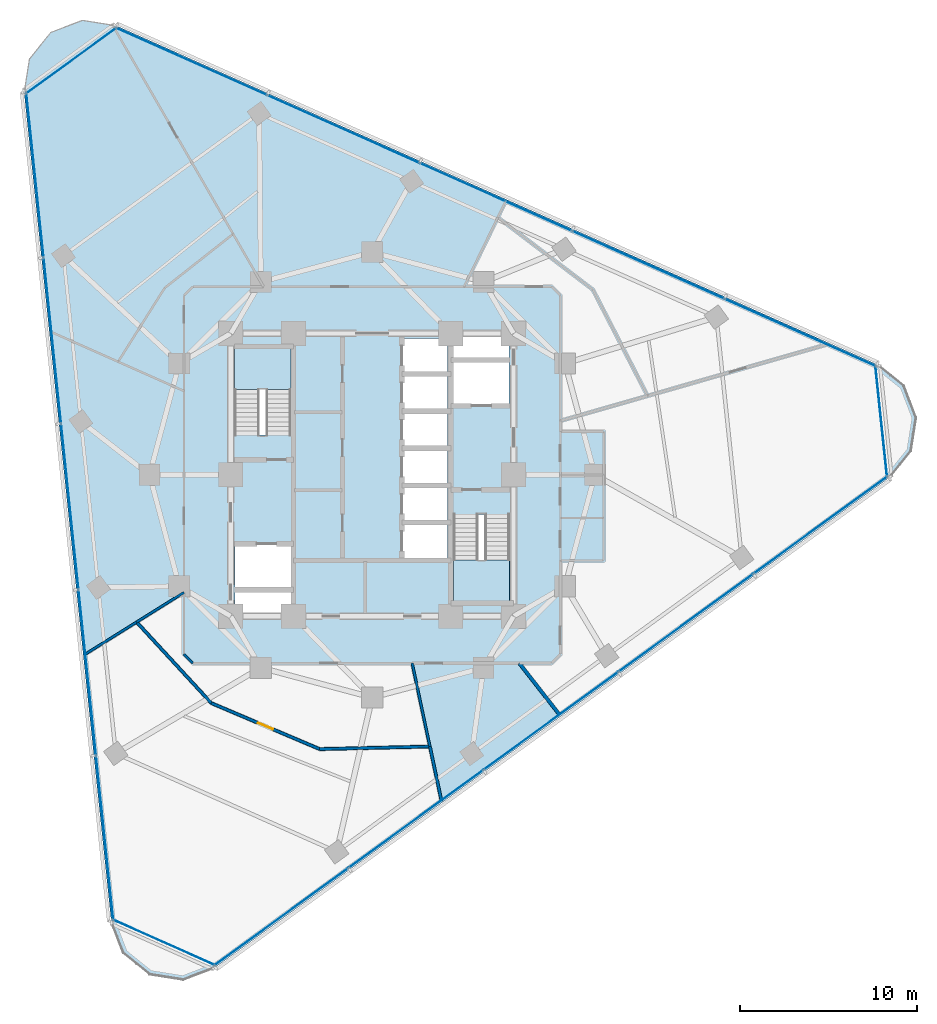
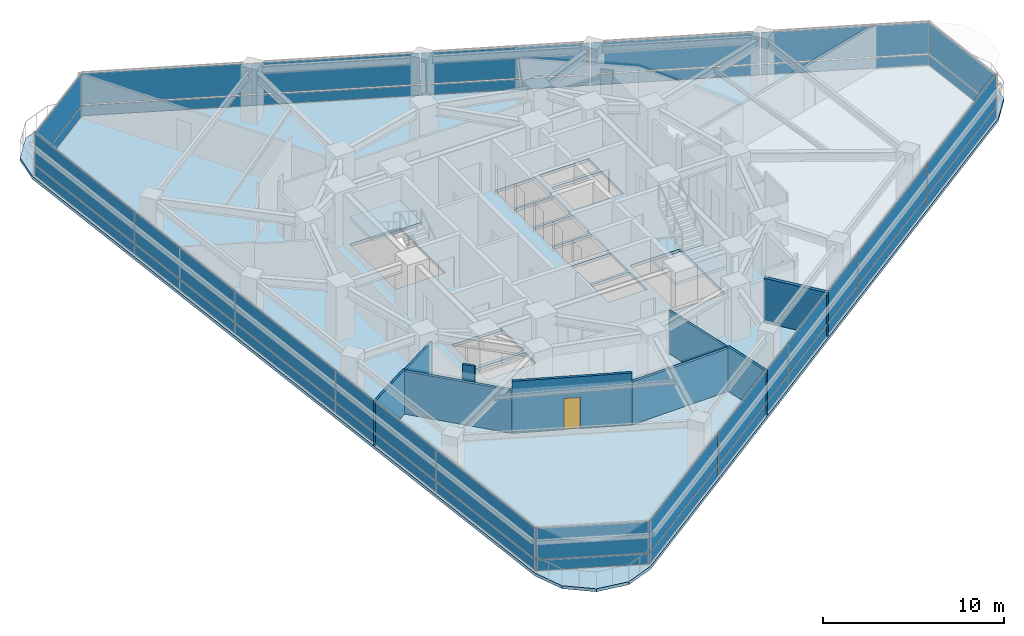
# One storey, part 7 of 14: 36 plates, 9 walls, 3 slabs, 1 door, 1 opening, 8 elements without a shape of their own.
"""IFC4 building model written with IfcOpenShell, lengths in metres."""

from ifc_helpers import new_model, si_unit, direction, frame, frame_2d, origin, origin_2d, place, context, subcontext, project, spatial, polyline, rectangle, outline, extrude, material, layer, layer_set, type_object, element, fill, aggregate, save


model = new_model("IFC4")

# Units and contexts
model_context = context("Model", 3, precision=1e-05, world=origin(), true_north=direction((0.0, 1.0)))
body_context = subcontext(model_context, "Body", "Model", "MODEL_VIEW")
ifc_project = project(units=[si_unit("LENGTHUNIT", "METRE"), si_unit("AREAUNIT", "SQUARE_METRE"), si_unit("VOLUMEUNIT", "CUBIC_METRE"), si_unit("PLANEANGLEUNIT", "RADIAN"), si_unit("MASSUNIT", "GRAM", prefix="KILO")], contexts=[model_context])

# Site, building, storey
site_placement = place(None, origin())
site = spatial("IfcSite", under=ifc_project, at=site_placement, CompositionType="ELEMENT")
building_placement = place(site_placement, origin())
building = spatial("IfcBuilding", under=site, at=building_placement, Name="Terralouvre Media Tower", CompositionType="ELEMENT")
storey_placement = place(building_placement, frame((0.0, 0.0, 162.0)))
storey = spatial("IfcBuildingStorey", under=building, at=storey_placement, Name="L41", CompositionType="ELEMENT", Elevation=162.0)

# Slab
ifc_material_1 = material(Name="Concrete C40/50", Category="concrete")
ifc_layer_1 = layer(ifc_material_1, 0.199951171875, Name="Composite Tower Floor Slab S-TYP200")
ifc_layer_set_1 = layer_set([ifc_layer_1], Name="Concrete C40/50")
slab_type_1 = type_object("IfcSlabType", Name="Composite Tower Floor Slab S-TYP200", PredefinedType="FLOOR", material=ifc_layer_set_1)
slab_1_placement = place(storey_placement, frame((0.0, 0.0, -0.199951171875), z_axis=(0.0, 0.0, 1.0), x_axis=(0.809016994375, 0.587785252292, 0.0)))
element("IfcSlab", 1, at=slab_1_placement, inside=storey, type_object=slab_type_1, Name="L41 Structural Floor Slab", PredefinedType="FLOOR", context=body_context, shape_type="SweptSolid", body=[
    extrude(outline(polyline([(-26.80419921875, -11.775390625), (-27.300048828125, -13.62548828125), (-26.80419921875, -15.475341796875), (-25.449951171875, -16.829833984375), (-23.60009765625, -17.325439453125), (23.60009765625, -17.325439453125), (25.449951171875, -16.829833984375), (26.80419921875, -15.4755859375), (27.300048828125, -13.62548828125), (26.80419921875, -11.775390625), (3.204345703125, 29.100830078125), (1.85009765625, 30.455322265625), (0.0, 30.950927734375), (-1.85009765625, 30.455322265625), (-3.204345703125, 29.100830078125), (-26.80419921875, -11.775390625)]), holes=[polyline([(-7.600830078125, -2.6357421875), (-8.30615234375, -3.6064453125), (-10.8544921875, -1.7548828125), (-10.149169921875, -0.7841796875), (-7.600830078125, -2.6357421875)]), polyline([(-7.4833984375, -2.473876953125), (-10.03173828125, -0.622314453125), (-8.591552734375, 1.359619140625), (-6.043212890625, -0.49169921875), (-7.4833984375, -2.473876953125)]), polyline([(4.366943359375, -1.2197265625), (2.344482421875, 0.24951171875), (3.48486328125, 1.819091796875), (5.50732421875, 0.349609375), (4.366943359375, -1.2197265625)]), polyline([(6.74169921875, 2.048583984375), (5.601318359375, 0.47900390625), (3.578857421875, 1.948486328125), (4.71923828125, 3.51806640625), (6.74169921875, 2.048583984375)]), polyline([(-2.40185546875, 4.52001953125), (-4.974609375, 6.38916015625), (-2.02685546875, 10.446533203125), (0.5458984375, 8.577392578125), (-2.40185546875, 4.52001953125)]), polyline([(6.835693359375, 2.177978515625), (4.813232421875, 3.6474609375), (5.953369140625, 5.217041015625), (7.97607421875, 3.74755859375), (6.835693359375, 2.177978515625)]), polyline([(-0.5458984375, -8.577392578125), (2.40185546875, -4.52001953125), (4.974609375, -6.38916015625), (2.02685546875, -10.446533203125), (-0.5458984375, -8.577392578125)]), polyline([(0.6640625, -6.316650390625), (-1.358642578125, -4.84716796875), (-0.21826171875, -3.277587890625), (1.80419921875, -4.7470703125), (0.6640625, -6.316650390625)]), polyline([(1.8984375, -4.61767578125), (-0.124267578125, -3.148193359375), (1.01611328125, -1.578857421875), (3.03857421875, -3.04833984375), (1.8984375, -4.61767578125)]), polyline([(4.27294921875, -1.349365234375), (3.132568359375, -2.918701171875), (1.110107421875, -1.44921875), (2.25048828125, 0.1201171875), (4.27294921875, -1.349365234375)]), polyline([(8.591552734375, -1.359619140625), (6.043212890625, 0.49169921875), (7.4833984375, 2.473876953125), (10.03173828125, 0.622314453125), (8.591552734375, -1.359619140625)]), polyline([(10.149169921875, 0.7841796875), (7.600830078125, 2.6357421875), (8.30615234375, 3.6064453125), (10.8544921875, 1.7548828125), (10.149169921875, 0.7841796875)])]), origin(), (0.0, 0.0, 1.0), 0.199951171875),
])

# Stair, slab
ifc_material_2 = material(Name="Concrete C45/55", Category="concrete")
stair_type_1 = type_object("IfcStairType", Name="Dogleg Stair Assembly ST-01", PredefinedType="HALF_TURN_STAIR", material=ifc_material_2)
stair_1_placement = place(storey_placement, origin())
stair_1 = element("IfcStair", 2, at=stair_1_placement, inside=storey, type_object=stair_type_1, Name="L41 Core Pressurised Exit Stair ST-01", PredefinedType="HALF_TURN_STAIR")
ifc_material_3 = material(Name="Concrete C45/55", Category="concrete")
ifc_layer_2 = layer(ifc_material_3, 0.199951171875, Name="Reinforced Concrete Stair Half-Landing SL-LD1")
ifc_layer_set_2 = layer_set([ifc_layer_2], Name="Concrete C45/55")
slab_type_2 = type_object("IfcSlabType", Name="Reinforced Concrete Stair Half-Landing SL-LD1", PredefinedType="LANDING", material=ifc_layer_set_2)
slab_2_placement = place(storey_placement, frame((0.0, 0.0, 1.64990234375)))
slab_2 = element("IfcSlab", 3, at=slab_2_placement, type_object=slab_type_2, Name="ST-01 landing 1", PredefinedType="LANDING", context=body_context, shape_type="SweptSolid", body=[
    extrude(outline(polyline([(-4.60009765625, 4.820068359375), (-4.60009765625, 7.260009765625), (-7.780029296875, 7.260009765625), (-7.780029296875, 4.820068359375), (-4.60009765625, 4.820068359375)])), origin(), (0.0, 0.0, 1.0), 0.2001953125),
])
aggregate(stair_1, [slab_2])

ifc_material_4 = material(Name="Concrete C45/55", Category="concrete")
stair_type_2 = type_object("IfcStairType", Name="Dogleg Stair Assembly ST-02", PredefinedType="HALF_TURN_STAIR", material=ifc_material_4)
stair_2_placement = place(storey_placement, origin())
stair_2 = element("IfcStair", 4, at=stair_2_placement, inside=storey, type_object=stair_type_2, Name="L41 Core Pressurised Exit Stair ST-02", PredefinedType="HALF_TURN_STAIR")
slab_3_placement = place(storey_placement, frame((0.0, 0.0, 1.64990234375)))
slab_3 = element("IfcSlab", 5, at=slab_3_placement, type_object=slab_type_2, Name="ST-02 landing 1", PredefinedType="LANDING", context=body_context, shape_type="SweptSolid", body=[
    extrude(outline(polyline([(4.60009765625, -4.820068359375), (4.60009765625, -7.260009765625), (7.780029296875, -7.260009765625), (7.780029296875, -4.820068359375), (4.60009765625, -4.820068359375)])), origin(), (0.0, 0.0, 1.0), 0.2001953125),
])
aggregate(stair_2, [slab_3])

# Curtain wall, plates
ifc_material_5 = material(Name="Low-iron laminated double glazing with solar-control coating", Category="glass")
ifc_layer_3 = layer(ifc_material_5, 0.1650390625, Name="Rounded Wind-Corner Curved Glazing CW-04")
ifc_layer_set_3 = layer_set([ifc_layer_3], Name="Low-iron laminated double glazing with solar-control coating")
curtain_wall_type_1 = type_object("IfcCurtainWallType", Name="Rounded Wind-Corner Curved Glazing CW-04", PredefinedType="NOTDEFINED", material=ifc_layer_set_3)
curtain_wall_1_placement = place(storey_placement, origin())
curtain_wall_1 = element("IfcCurtainWall", 6, at=curtain_wall_1_placement, inside=storey, type_object=curtain_wall_type_1, Name="L41 Rounded Wind-Corner Curtain Wall C0", PredefinedType="NOTDEFINED")
ifc_material_6 = material(Name="Low-iron laminated double glazing with solar-control coating", Category="glass")
ifc_layer_4 = layer(ifc_material_6, 0.0400390625, Name="Rounded Corner Laminated Vision Panel CWP-03")
ifc_layer_set_4 = layer_set([ifc_layer_4], Name="Low-iron laminated double glazing with solar-control coating")
plate_type_1 = type_object("IfcPlateType", Name="Rounded Corner Laminated Vision Panel CWP-03", PredefinedType="CURTAIN_PANEL", material=ifc_layer_set_4)
plate_1_placement = place(storey_placement, frame((-11.779541015625, -26.45703125, 0.074951171875), z_axis=(0.0, 0.0, 1.0), x_axis=(0.913545408199, -0.406736754128, 0.0)))
plate_1 = element("IfcPlate", 7, at=plate_1_placement, type_object=plate_type_1, Name="CW-04 panel 1.1", PredefinedType="CURTAIN_PANEL", context=body_context, shape_type="SweptSolid", body=[
    extrude(rectangle(XDim=6.258544921875, YDim=0.035888671875, at=origin_2d()), origin(), (0.0, 0.0, 1.0), 0.6875),
])
plate_2_placement = place(storey_placement, frame((-11.779541015625, -26.45703125, 0.837646484375), z_axis=(0.0, 0.0, 1.0), x_axis=(0.913545408199, -0.406736754128, 0.0)))
plate_2 = element("IfcPlate", 8, at=plate_2_placement, type_object=plate_type_1, Name="CW-04 panel 1.2", PredefinedType="CURTAIN_PANEL", context=body_context, shape_type="SweptSolid", body=[
    extrude(rectangle(XDim=6.258544921875, YDim=0.035888671875, at=origin_2d()), origin(), (0.0, 0.0, 1.0), 2.08740234375),
])
aggregate(curtain_wall_1, [plate_1, plate_2])

curtain_wall_2_placement = place(storey_placement, origin())
curtain_wall_2 = element("IfcCurtainWall", 9, at=curtain_wall_2_placement, inside=storey, type_object=curtain_wall_type_1, Name="L41 Rounded Wind-Corner Curtain Wall C1", PredefinedType="NOTDEFINED")
plate_3_placement = place(storey_placement, frame((28.80224609375, 3.02734375, 0.074951171875), z_axis=(0.0, 0.0, 1.0), x_axis=(-0.10452850319, 0.994521891172, 0.0)))
plate_3 = element("IfcPlate", 10, at=plate_3_placement, type_object=plate_type_1, Name="CW-04 panel 1.1", PredefinedType="CURTAIN_PANEL", context=body_context, shape_type="SweptSolid", body=[
    extrude(rectangle(XDim=6.258544921875, YDim=0.035888671875, at=origin_2d()), origin(), (0.0, 0.0, 1.0), 0.6875),
])
plate_4_placement = place(storey_placement, frame((28.80224609375, 3.02734375, 0.837646484375), z_axis=(0.0, 0.0, 1.0), x_axis=(-0.10452850319, 0.994521891172, 0.0)))
plate_4 = element("IfcPlate", 11, at=plate_4_placement, type_object=plate_type_1, Name="CW-04 panel 1.2", PredefinedType="CURTAIN_PANEL", context=body_context, shape_type="SweptSolid", body=[
    extrude(rectangle(XDim=6.258544921875, YDim=0.035888671875, at=origin_2d()), origin(), (0.0, 0.0, 1.0), 2.08740234375),
])
aggregate(curtain_wall_2, [plate_3, plate_4])

curtain_wall_3_placement = place(storey_placement, origin())
curtain_wall_3 = element("IfcCurtainWall", 12, at=curtain_wall_3_placement, inside=storey, type_object=curtain_wall_type_1, Name="L41 Rounded Wind-Corner Curtain Wall C2", PredefinedType="NOTDEFINED")
plate_5_placement = place(storey_placement, frame((-17.022705078125, 23.429931640625, 0.074951171875), z_axis=(0.0, 0.0, 1.0), x_axis=(-0.809017438344, -0.587784641221, 0.0)))
plate_5 = element("IfcPlate", 13, at=plate_5_placement, type_object=plate_type_1, Name="CW-04 panel 1.1", PredefinedType="CURTAIN_PANEL", context=body_context, shape_type="SweptSolid", body=[
    extrude(rectangle(XDim=6.258544921875, YDim=0.035888671875, at=origin_2d()), origin(), (0.0, 0.0, 1.0), 0.6875),
])
plate_6_placement = place(storey_placement, frame((-17.022705078125, 23.429931640625, 0.837646484375), z_axis=(0.0, 0.0, 1.0), x_axis=(-0.809017438344, -0.587784641221, 0.0)))
plate_6 = element("IfcPlate", 14, at=plate_6_placement, type_object=plate_type_1, Name="CW-04 panel 1.2", PredefinedType="CURTAIN_PANEL", context=body_context, shape_type="SweptSolid", body=[
    extrude(rectangle(XDim=6.258544921875, YDim=0.035888671875, at=origin_2d()), origin(), (0.0, 0.0, 1.0), 2.08740234375),
])
aggregate(curtain_wall_3, [plate_5, plate_6])

ifc_material_7 = material(Name="Low-iron laminated double glazing with solar-control coating", Category="glass")
ifc_layer_5 = layer(ifc_material_7, 0.1650390625, Name="Production Studio Tower Curtain Wall CW-03")
ifc_layer_set_5 = layer_set([ifc_layer_5], Name="Low-iron laminated double glazing with solar-control coating")
curtain_wall_type_2 = type_object("IfcCurtainWallType", Name="Production Studio Tower Curtain Wall CW-03", PredefinedType="NOTDEFINED", material=ifc_layer_set_5)
curtain_wall_4_placement = place(storey_placement, origin())
curtain_wall_4 = element("IfcCurtainWall", 15, at=curtain_wall_4_placement, inside=storey, type_object=curtain_wall_type_2, Name="L41 Facade Curtain Wall F0", PredefinedType="NOTDEFINED")
ifc_material_8 = material(Name="Low-iron laminated double glazing with solar-control coating", Category="glass")
ifc_layer_6 = layer(ifc_material_8, 0.035888671875, Name="Vision Double-Glazed Unit CWP-01")
ifc_layer_set_6 = layer_set([ifc_layer_6], Name="Low-iron laminated double glazing with solar-control coating")
plate_type_2 = type_object("IfcPlateType", Name="Vision Double-Glazed Unit CWP-01", PredefinedType="CURTAIN_PANEL", material=ifc_layer_set_6)
plate_7_placement = place(storey_placement, frame((-5.14599609375, -25.005859375, 0.074951171875), z_axis=(0.0, 0.0, 1.0), x_axis=(0.809016917383, 0.587785358263, 0.0)))
plate_7 = element("IfcPlate", 16, at=plate_7_placement, type_object=plate_type_2, Name="CW-03 panel 1.1", PredefinedType="CURTAIN_PANEL", context=body_context, shape_type="SweptSolid", body=[
    extrude(rectangle(XDim=9.327392578125, YDim=0.035888671875, at=origin_2d()), origin(), (0.0, 0.0, 1.0), 0.6875),
])
plate_8_placement = place(storey_placement, frame((-5.14599609375, -25.005859375, 0.837646484375), z_axis=(0.0, 0.0, 1.0), x_axis=(0.809016917383, 0.587785358263, 0.0)))
plate_8 = element("IfcPlate", 17, at=plate_8_placement, type_object=plate_type_2, Name="CW-03 panel 1.2", PredefinedType="CURTAIN_PANEL", context=body_context, shape_type="SweptSolid", body=[
    extrude(rectangle(XDim=9.327392578125, YDim=0.035888671875, at=origin_2d()), origin(), (0.0, 0.0, 1.0), 2.08740234375),
])
plate_9_placement = place(storey_placement, frame((2.47607421875, -19.46826171875, 0.074951171875), z_axis=(0.0, 0.0, 1.0), x_axis=(0.809016917383, 0.587785358263, 0.0)))
plate_9 = element("IfcPlate", 18, at=plate_9_placement, type_object=plate_type_2, Name="CW-03 panel 2.1", PredefinedType="CURTAIN_PANEL", context=body_context, shape_type="SweptSolid", body=[
    extrude(rectangle(XDim=9.364990234375, YDim=0.035888671875, at=origin_2d()), origin(), (0.0, 0.0, 1.0), 0.6875),
])
plate_10_placement = place(storey_placement, frame((2.47607421875, -19.46826171875, 0.837646484375), z_axis=(0.0, 0.0, 1.0), x_axis=(0.809016917383, 0.587785358263, 0.0)))
plate_10 = element("IfcPlate", 19, at=plate_10_placement, type_object=plate_type_2, Name="CW-03 panel 2.2", PredefinedType="CURTAIN_PANEL", context=body_context, shape_type="SweptSolid", body=[
    extrude(rectangle(XDim=9.364990234375, YDim=0.035888671875, at=origin_2d()), origin(), (0.0, 0.0, 1.0), 2.08740234375),
])
plate_11_placement = place(storey_placement, frame((10.113037109375, -13.91943359375, 0.074951171875), z_axis=(0.0, 0.0, 1.0), x_axis=(0.809016917383, 0.587785358263, 0.0)))
plate_11 = element("IfcPlate", 20, at=plate_11_placement, type_object=plate_type_2, Name="CW-03 panel 3.1", PredefinedType="CURTAIN_PANEL", context=body_context, shape_type="SweptSolid", body=[
    extrude(rectangle(XDim=9.364990234375, YDim=0.035888671875, at=origin_2d()), origin(), (0.0, 0.0, 1.0), 0.6875),
])
plate_12_placement = place(storey_placement, frame((10.113037109375, -13.91943359375, 0.837646484375), z_axis=(0.0, 0.0, 1.0), x_axis=(0.809016917383, 0.587785358263, 0.0)))
plate_12 = element("IfcPlate", 21, at=plate_12_placement, type_object=plate_type_2, Name="CW-03 panel 3.2", PredefinedType="CURTAIN_PANEL", context=body_context, shape_type="SweptSolid", body=[
    extrude(rectangle(XDim=9.364990234375, YDim=0.035888671875, at=origin_2d()), origin(), (0.0, 0.0, 1.0), 2.08740234375),
])
plate_13_placement = place(storey_placement, frame((17.750244140625, -8.370849609375, 0.074951171875), z_axis=(0.0, 0.0, 1.0), x_axis=(0.809016917383, 0.587785358263, 0.0)))
plate_13 = element("IfcPlate", 22, at=plate_13_placement, type_object=plate_type_2, Name="CW-03 panel 4.1", PredefinedType="CURTAIN_PANEL", context=body_context, shape_type="SweptSolid", body=[
    extrude(rectangle(XDim=9.364990234375, YDim=0.035888671875, at=origin_2d()), origin(), (0.0, 0.0, 1.0), 0.6875),
])
plate_14_placement = place(storey_placement, frame((17.750244140625, -8.370849609375, 0.837646484375), z_axis=(0.0, 0.0, 1.0), x_axis=(0.809016917383, 0.587785358263, 0.0)))
plate_14 = element("IfcPlate", 23, at=plate_14_placement, type_object=plate_type_2, Name="CW-03 panel 4.2", PredefinedType="CURTAIN_PANEL", context=body_context, shape_type="SweptSolid", body=[
    extrude(rectangle(XDim=9.364990234375, YDim=0.035888671875, at=origin_2d()), origin(), (0.0, 0.0, 1.0), 2.08740234375),
])
plate_15_placement = place(storey_placement, frame((25.3720703125, -2.833251953125, 0.074951171875), z_axis=(0.0, 0.0, 1.0), x_axis=(0.809016917383, 0.587785358263, 0.0)))
plate_15 = element("IfcPlate", 24, at=plate_15_placement, type_object=plate_type_2, Name="CW-03 panel 5.1", PredefinedType="CURTAIN_PANEL", context=body_context, shape_type="SweptSolid", body=[
    extrude(rectangle(XDim=9.327392578125, YDim=0.035888671875, at=origin_2d()), origin(), (0.0, 0.0, 1.0), 0.6875),
])
plate_16_placement = place(storey_placement, frame((25.3720703125, -2.833251953125, 0.837646484375), z_axis=(0.0, 0.0, 1.0), x_axis=(0.809016917383, 0.587785358263, 0.0)))
plate_16 = element("IfcPlate", 25, at=plate_16_placement, type_object=plate_type_2, Name="CW-03 panel 5.2", PredefinedType="CURTAIN_PANEL", context=body_context, shape_type="SweptSolid", body=[
    extrude(rectangle(XDim=9.327392578125, YDim=0.035888671875, at=origin_2d()), origin(), (0.0, 0.0, 1.0), 2.08740234375),
])
aggregate(curtain_wall_4, [plate_7, plate_8, plate_9, plate_10, plate_11, plate_12, plate_13, plate_14, plate_15, plate_16])

curtain_wall_5_placement = place(storey_placement, origin())
curtain_wall_5 = element("IfcCurtainWall", 26, at=curtain_wall_5_placement, inside=storey, type_object=curtain_wall_type_2, Name="L41 Facade Curtain Wall F1", PredefinedType="NOTDEFINED")
plate_17_placement = place(storey_placement, frame((24.228759765625, 8.04638671875, 0.074951171875), z_axis=(0.0, 0.0, 1.0), x_axis=(-0.913545469547, 0.406736616337, 0.0)))
plate_17 = element("IfcPlate", 27, at=plate_17_placement, type_object=plate_type_2, Name="CW-03 panel 1.1", PredefinedType="CURTAIN_PANEL", context=body_context, shape_type="SweptSolid", body=[
    extrude(rectangle(XDim=9.327392578125, YDim=0.035888671875, at=origin_2d()), origin(), (0.0, 0.0, 1.0), 0.6875),
])
plate_18_placement = place(storey_placement, frame((24.228759765625, 8.04638671875, 0.837646484375), z_axis=(0.0, 0.0, 1.0), x_axis=(-0.913545469547, 0.406736616337, 0.0)))
plate_18 = element("IfcPlate", 28, at=plate_18_placement, type_object=plate_type_2, Name="CW-03 panel 1.2", PredefinedType="CURTAIN_PANEL", context=body_context, shape_type="SweptSolid", body=[
    extrude(rectangle(XDim=9.327392578125, YDim=0.035888671875, at=origin_2d()), origin(), (0.0, 0.0, 1.0), 2.08740234375),
])
plate_19_placement = place(storey_placement, frame((15.6220703125, 11.87841796875, 0.074951171875), z_axis=(0.0, 0.0, 1.0), x_axis=(-0.913545469547, 0.406736616337, 0.0)))
plate_19 = element("IfcPlate", 29, at=plate_19_placement, type_object=plate_type_2, Name="CW-03 panel 2.1", PredefinedType="CURTAIN_PANEL", context=body_context, shape_type="SweptSolid", body=[
    extrude(rectangle(XDim=9.364990234375, YDim=0.035888671875, at=origin_2d()), origin(), (0.0, 0.0, 1.0), 0.6875),
])
plate_20_placement = place(storey_placement, frame((15.6220703125, 11.87841796875, 0.837646484375), z_axis=(0.0, 0.0, 1.0), x_axis=(-0.913545469547, 0.406736616337, 0.0)))
plate_20 = element("IfcPlate", 30, at=plate_20_placement, type_object=plate_type_2, Name="CW-03 panel 2.2", PredefinedType="CURTAIN_PANEL", context=body_context, shape_type="SweptSolid", body=[
    extrude(rectangle(XDim=9.364990234375, YDim=0.035888671875, at=origin_2d()), origin(), (0.0, 0.0, 1.0), 2.08740234375),
])
plate_21_placement = place(storey_placement, frame((6.998046875, 15.718017578125, 0.074951171875), z_axis=(0.0, 0.0, 1.0), x_axis=(-0.913545469547, 0.406736616337, 0.0)))
plate_21 = element("IfcPlate", 31, at=plate_21_placement, type_object=plate_type_2, Name="CW-03 panel 3.1", PredefinedType="CURTAIN_PANEL", context=body_context, shape_type="SweptSolid", body=[
    extrude(rectangle(XDim=9.364990234375, YDim=0.035888671875, at=origin_2d()), origin(), (0.0, 0.0, 1.0), 0.6875),
])
plate_22_placement = place(storey_placement, frame((6.998046875, 15.718017578125, 0.837646484375), z_axis=(0.0, 0.0, 1.0), x_axis=(-0.913545469547, 0.406736616337, 0.0)))
plate_22 = element("IfcPlate", 32, at=plate_22_placement, type_object=plate_type_2, Name="CW-03 panel 3.2", PredefinedType="CURTAIN_PANEL", context=body_context, shape_type="SweptSolid", body=[
    extrude(rectangle(XDim=9.364990234375, YDim=0.035888671875, at=origin_2d()), origin(), (0.0, 0.0, 1.0), 2.08740234375),
])
plate_23_placement = place(storey_placement, frame((-1.625732421875, 19.5576171875, 0.074951171875), z_axis=(0.0, 0.0, 1.0), x_axis=(-0.913545469547, 0.406736616337, 0.0)))
plate_23 = element("IfcPlate", 33, at=plate_23_placement, type_object=plate_type_2, Name="CW-03 panel 4.1", PredefinedType="CURTAIN_PANEL", context=body_context, shape_type="SweptSolid", body=[
    extrude(rectangle(XDim=9.364990234375, YDim=0.035888671875, at=origin_2d()), origin(), (0.0, 0.0, 1.0), 0.6875),
])
plate_24_placement = place(storey_placement, frame((-1.625732421875, 19.5576171875, 0.837646484375), z_axis=(0.0, 0.0, 1.0), x_axis=(-0.913545469547, 0.406736616337, 0.0)))
plate_24 = element("IfcPlate", 34, at=plate_24_placement, type_object=plate_type_2, Name="CW-03 panel 4.2", PredefinedType="CURTAIN_PANEL", context=body_context, shape_type="SweptSolid", body=[
    extrude(rectangle(XDim=9.364990234375, YDim=0.035888671875, at=origin_2d()), origin(), (0.0, 0.0, 1.0), 2.08740234375),
])
plate_25_placement = place(storey_placement, frame((-10.232421875, 23.3896484375, 0.074951171875), z_axis=(0.0, 0.0, 1.0), x_axis=(-0.913545469547, 0.406736616337, 0.0)))
plate_25 = element("IfcPlate", 35, at=plate_25_placement, type_object=plate_type_2, Name="CW-03 panel 5.1", PredefinedType="CURTAIN_PANEL", context=body_context, shape_type="SweptSolid", body=[
    extrude(rectangle(XDim=9.327392578125, YDim=0.035888671875, at=origin_2d()), origin(), (0.0, 0.0, 1.0), 0.6875),
])
plate_26_placement = place(storey_placement, frame((-10.232421875, 23.3896484375, 0.837646484375), z_axis=(0.0, 0.0, 1.0), x_axis=(-0.913545469547, 0.406736616337, 0.0)))
plate_26 = element("IfcPlate", 36, at=plate_26_placement, type_object=plate_type_2, Name="CW-03 panel 5.2", PredefinedType="CURTAIN_PANEL", context=body_context, shape_type="SweptSolid", body=[
    extrude(rectangle(XDim=9.327392578125, YDim=0.035888671875, at=origin_2d()), origin(), (0.0, 0.0, 1.0), 2.08740234375),
])
aggregate(curtain_wall_5, [plate_17, plate_18, plate_19, plate_20, plate_21, plate_22, plate_23, plate_24, plate_25, plate_26])

curtain_wall_6_placement = place(storey_placement, origin())
curtain_wall_6 = element("IfcCurtainWall", 37, at=curtain_wall_6_placement, inside=storey, type_object=curtain_wall_type_2, Name="L41 Facade Curtain Wall F2", PredefinedType="NOTDEFINED")
plate_27_placement = place(storey_placement, frame((-19.082763671875, 16.95947265625, 0.074951171875), z_axis=(0.0, 0.0, 1.0), x_axis=(0.104528376236, -0.994521904516, 0.0)))
plate_27 = element("IfcPlate", 38, at=plate_27_placement, type_object=plate_type_2, Name="CW-03 panel 1.1", PredefinedType="CURTAIN_PANEL", context=body_context, shape_type="SweptSolid", body=[
    extrude(rectangle(XDim=9.327392578125, YDim=0.035888671875, at=origin_2d()), origin(), (0.0, 0.0, 1.0), 0.6875),
])
plate_28_placement = place(storey_placement, frame((-19.082763671875, 16.95947265625, 0.837646484375), z_axis=(0.0, 0.0, 1.0), x_axis=(0.104528376236, -0.994521904516, 0.0)))
plate_28 = element("IfcPlate", 39, at=plate_28_placement, type_object=plate_type_2, Name="CW-03 panel 1.2", PredefinedType="CURTAIN_PANEL", context=body_context, shape_type="SweptSolid", body=[
    extrude(rectangle(XDim=9.327392578125, YDim=0.035888671875, at=origin_2d()), origin(), (0.0, 0.0, 1.0), 2.08740234375),
])
plate_29_placement = place(storey_placement, frame((-18.097900390625, 7.58984375, 0.074951171875), z_axis=(0.0, 0.0, 1.0), x_axis=(0.104528376236, -0.994521904516, 0.0)))
plate_29 = element("IfcPlate", 40, at=plate_29_placement, type_object=plate_type_2, Name="CW-03 panel 2.1", PredefinedType="CURTAIN_PANEL", context=body_context, shape_type="SweptSolid", body=[
    extrude(rectangle(XDim=9.364990234375, YDim=0.035888671875, at=origin_2d()), origin(), (0.0, 0.0, 1.0), 0.6875),
])
plate_30_placement = place(storey_placement, frame((-18.097900390625, 7.58984375, 0.837646484375), z_axis=(0.0, 0.0, 1.0), x_axis=(0.104528376236, -0.994521904516, 0.0)))
plate_30 = element("IfcPlate", 41, at=plate_30_placement, type_object=plate_type_2, Name="CW-03 panel 2.2", PredefinedType="CURTAIN_PANEL", context=body_context, shape_type="SweptSolid", body=[
    extrude(rectangle(XDim=9.364990234375, YDim=0.035888671875, at=origin_2d()), origin(), (0.0, 0.0, 1.0), 2.08740234375),
])
plate_31_placement = place(storey_placement, frame((-17.111328125, -1.79833984375, 0.074951171875), z_axis=(0.0, 0.0, 1.0), x_axis=(0.104528376236, -0.994521904516, 0.0)))
plate_31 = element("IfcPlate", 42, at=plate_31_placement, type_object=plate_type_2, Name="CW-03 panel 3.1", PredefinedType="CURTAIN_PANEL", context=body_context, shape_type="SweptSolid", body=[
    extrude(rectangle(XDim=9.364990234375, YDim=0.035888671875, at=origin_2d()), origin(), (0.0, 0.0, 1.0), 0.6875),
])
plate_32_placement = place(storey_placement, frame((-17.111328125, -1.79833984375, 0.837646484375), z_axis=(0.0, 0.0, 1.0), x_axis=(0.104528376236, -0.994521904516, 0.0)))
plate_32 = element("IfcPlate", 43, at=plate_32_placement, type_object=plate_type_2, Name="CW-03 panel 3.2", PredefinedType="CURTAIN_PANEL", context=body_context, shape_type="SweptSolid", body=[
    extrude(rectangle(XDim=9.364990234375, YDim=0.035888671875, at=origin_2d()), origin(), (0.0, 0.0, 1.0), 2.08740234375),
])
plate_33_placement = place(storey_placement, frame((-16.12451171875, -11.186767578125, 0.074951171875), z_axis=(0.0, 0.0, 1.0), x_axis=(0.104528376236, -0.994521904516, 0.0)))
plate_33 = element("IfcPlate", 44, at=plate_33_placement, type_object=plate_type_2, Name="CW-03 panel 4.1", PredefinedType="CURTAIN_PANEL", context=body_context, shape_type="SweptSolid", body=[
    extrude(rectangle(XDim=9.364990234375, YDim=0.035888671875, at=origin_2d()), origin(), (0.0, 0.0, 1.0), 0.6875),
])
plate_34_placement = place(storey_placement, frame((-16.12451171875, -11.186767578125, 0.837646484375), z_axis=(0.0, 0.0, 1.0), x_axis=(0.104528376236, -0.994521904516, 0.0)))
plate_34 = element("IfcPlate", 45, at=plate_34_placement, type_object=plate_type_2, Name="CW-03 panel 4.2", PredefinedType="CURTAIN_PANEL", context=body_context, shape_type="SweptSolid", body=[
    extrude(rectangle(XDim=9.364990234375, YDim=0.035888671875, at=origin_2d()), origin(), (0.0, 0.0, 1.0), 2.08740234375),
])
plate_35_placement = place(storey_placement, frame((-15.1396484375, -20.556396484375, 0.074951171875), z_axis=(0.0, 0.0, 1.0), x_axis=(0.104528376236, -0.994521904516, 0.0)))
plate_35 = element("IfcPlate", 46, at=plate_35_placement, type_object=plate_type_2, Name="CW-03 panel 5.1", PredefinedType="CURTAIN_PANEL", context=body_context, shape_type="SweptSolid", body=[
    extrude(rectangle(XDim=9.327392578125, YDim=0.035888671875, at=origin_2d()), origin(), (0.0, 0.0, 1.0), 0.6875),
])
plate_36_placement = place(storey_placement, frame((-15.1396484375, -20.556396484375, 0.837646484375), z_axis=(0.0, 0.0, 1.0), x_axis=(0.104528376236, -0.994521904516, 0.0)))
plate_36 = element("IfcPlate", 47, at=plate_36_placement, type_object=plate_type_2, Name="CW-03 panel 5.2", PredefinedType="CURTAIN_PANEL", context=body_context, shape_type="SweptSolid", body=[
    extrude(rectangle(XDim=9.327392578125, YDim=0.035888671875, at=origin_2d()), origin(), (0.0, 0.0, 1.0), 2.08740234375),
])
aggregate(curtain_wall_6, [plate_27, plate_28, plate_29, plate_30, plate_31, plate_32, plate_33, plate_34, plate_35, plate_36])

# Walls
ifc_material_9 = material(Name="Fire-rated gypsum board drywall partition")
ifc_layer_7 = layer(ifc_material_9, 0.199951171875, Name="Fire-Rated Shaft and Lobby Partition FW-200")
ifc_layer_set_7 = layer_set([ifc_layer_7], Name="Fire-rated gypsum board drywall partition")
wall_type_1 = type_object("IfcWallType", Name="Fire-Rated Shaft and Lobby Partition FW-200", PredefinedType="SOLIDWALL", material=ifc_layer_set_7)
wall_1_placement = place(storey_placement, frame((10.623779296875, -13.597900390625, 0.0), z_axis=(0.0, 0.0, 1.0), x_axis=(-0.615579447743, 0.788074833704, 0.0)))
element("IfcWall", 48, at=wall_1_placement, inside=storey, type_object=wall_type_1, Name="L41 Interior Partition 029", PredefinedType="SOLIDWALL", context=body_context, shape_type="SweptSolid", body=[
    extrude(rectangle(XDim=3.74072265625, YDim=0.199951171875, at=frame_2d((1.870361328125, 0.0))), origin(), (0.0, 0.0, 1.0), 2.985107421875),
])
ifc_material_10 = material(Name="Fire-rated gypsum board drywall partition")
ifc_layer_8 = layer(ifc_material_10, 0.135009765625, Name="Newsroom Acoustic Partition PT-135")
ifc_layer_set_8 = layer_set([ifc_layer_8], Name="Fire-rated gypsum board drywall partition")
wall_type_2 = type_object("IfcWallType", Name="Newsroom Acoustic Partition PT-135", PredefinedType="PARTITIONING", material=ifc_layer_set_8)
wall_2_placement = place(storey_placement, frame((-10.64990234375, -10.14990234375, 0.0), z_axis=(0.0, 0.0, 1.0), x_axis=(0.707106781187, -0.707106781187, 0.0)))
element("IfcWall", 49, at=wall_2_placement, inside=storey, type_object=wall_type_2, Name="L41 Interior Partition 003", PredefinedType="PARTITIONING", context=body_context, shape_type="SweptSolid", body=[
    extrude(rectangle(XDim=0.70703125, YDim=0.135009765625, at=frame_2d((0.353515625, 0.0))), origin(), (0.0, 0.0, 1.0), 3.5),
])
wall_3_placement = place(storey_placement, frame((-16.271728515625, -10.16748046875, 0.0), z_axis=(0.0, 0.0, 1.0), x_axis=(0.848097115085, 0.529840809474, 0.0)))
element("IfcWall", 50, at=wall_3_placement, inside=storey, type_object=wall_type_2, Name="L41 Interior Partition 020", PredefinedType="PARTITIONING", context=body_context, shape_type="SweptSolid", body=[
    extrude(rectangle(XDim=3.4697265625, YDim=0.135009765625, at=frame_2d((1.73486328125, 0.0))), origin(), (0.0, 0.0, 1.0), 2.985107421875),
])
wall_4_placement = place(storey_placement, frame((-13.3291015625, -8.3291015625, 0.0), z_axis=(0.0, 0.0, 1.0), x_axis=(0.848059079617, 0.529901686617, 0.0)))
element("IfcWall", 51, at=wall_4_placement, inside=storey, type_object=wall_type_2, Name="L41 Interior Partition 021", PredefinedType="PARTITIONING", context=body_context, shape_type="SweptSolid", body=[
    extrude(rectangle(XDim=3.1591796875, YDim=0.135009765625, at=frame_2d((1.57958984375, 0.0))), origin(), (0.0, 0.0, 1.0), 2.885009765625),
])
wall_5_placement = place(storey_placement, frame((3.26806640625, -15.373046875, 0.0), z_axis=(0.0, 0.0, 1.0), x_axis=(-0.207954296991, 0.978138543542, 0.0)))
element("IfcWall", 52, at=wall_5_placement, inside=storey, type_object=wall_type_2, Name="L41 Interior Partition 028", PredefinedType="PARTITIONING", context=body_context, shape_type="SweptSolid", body=[
    extrude(rectangle(XDim=4.82861328125, YDim=0.135009765625, at=frame_2d((2.414306640625, 0.0))), origin(), (0.0, 0.0, 1.0), 2.885009765625),
])
ifc_material_11 = material(Name="Fire-rated gypsum board drywall partition")
ifc_layer_9 = layer(ifc_material_11, 0.159912109375, Name="Studio Acoustic Rated Partition PT-160")
ifc_layer_set_9 = layer_set([ifc_layer_9], Name="Fire-rated gypsum board drywall partition")
wall_type_3 = type_object("IfcWallType", Name="Studio Acoustic Rated Partition PT-160", PredefinedType="PARTITIONING", material=ifc_layer_set_9)
wall_6_placement = place(storey_placement, frame((3.26806640625, -15.373046875, 0.0), z_axis=(0.0, 0.0, 1.0), x_axis=(-0.99972988351, -0.023241342836, 0.0)))
element("IfcWall", 53, at=wall_6_placement, inside=storey, type_object=wall_type_3, Name="L41 Interior Partition 024", PredefinedType="PARTITIONING", context=body_context, shape_type="SweptSolid", body=[
    extrude(rectangle(XDim=6.23974609375, YDim=0.159912109375, at=frame_2d((3.119873046875, 0.0))), origin(), (0.0, 0.0, 1.0), 2.885009765625),
])

# Wall, opening, door
wall_7_placement = place(storey_placement, frame((-2.969970703125, -15.51806640625, 0.0), z_axis=(0.0, 0.0, 1.0), x_axis=(-0.920506675175, 0.390726836752, 0.0)))
wall_7 = element("IfcWall", 54, at=wall_7_placement, inside=storey, type_object=wall_type_3, Name="L41 Interior Partition 025", PredefinedType="PARTITIONING", context=body_context, shape_type="SweptSolid", body=[
    extrude(rectangle(XDim=6.659423828125, YDim=0.159912109375, at=frame_2d((3.32958984375, 0.0))), origin(), (0.0, 0.0, 1.0), 3.5),
])
opening_placement = place(wall_7_placement, frame((2.86962890625, 0.0, 0.0)))
opening = element("IfcOpeningElement", 55, at=opening_placement, cuts=wall_7, Name="Opening ID-03-92X210", PredefinedType="OPENING", context=body_context, shape_type="SweptSolid", body=[
    extrude(rectangle(XDim=0.919921875, YDim=2.10009765625, at=frame_2d((0.4599609375, 1.050048828125))), frame((0.0, 0.08984375, 0.0), z_axis=(0.0, -1.0, 0.0), x_axis=(1.0, 0.0, 0.0)), (0.0, 0.0, 1.0), 0.179931640625),
])
ifc_material_12 = material(Name="Engineered hardwood acoustic timber leaf", Category="wood")
door_type = type_object("IfcDoorType", Name="Accessible Restroom and Suite Door ID-03 (920x2100)", OperationType="NOTDEFINED", PredefinedType="DOOR", material=ifc_material_12)
door_placement = place(opening_placement, origin())
door = element("IfcDoor", 56, at=door_placement, inside=storey, type_object=door_type, Name="L41 Director Master Control Room 2 Door", OperationType="SINGLE_SWING_RIGHT", OverallHeight=2.10009765625, OverallWidth=0.919921875, PredefinedType="DOOR", context=body_context, shape_type="SweptSolid", body=[
    extrude(rectangle(XDim=0.919921875, YDim=2.10009765625, at=frame_2d((0.4599609375, 1.050048828125))), frame((0.0, 0.02490234375, 0.0), z_axis=(0.0, -1.0, 0.0), x_axis=(1.0, 0.0, 0.0)), (0.0, 0.0, 1.0), 0.050048828125),
])
fill(opening, door)

# Walls
wall_8_placement = place(storey_placement, frame((-9.10009765625, -12.916015625, 0.0), z_axis=(0.0, 0.0, 1.0), x_axis=(-0.677841155448, 0.735208384052, 0.0)))
element("IfcWall", 57, at=wall_8_placement, inside=storey, type_object=wall_type_3, Name="L41 Interior Partition 026", PredefinedType="PARTITIONING", context=body_context, shape_type="SweptSolid", body=[
    extrude(rectangle(XDim=6.239013671875, YDim=0.159912109375, at=frame_2d((3.11962890625, 0.0))), origin(), (0.0, 0.0, 1.0), 2.885009765625),
])
wall_9_placement = place(storey_placement, frame((3.925048828125, -18.46484375, 0.0), z_axis=(0.0, 0.0, 1.0), x_axis=(-0.207851365584, 0.978160421314, 0.0)))
element("IfcWall", 58, at=wall_9_placement, inside=storey, type_object=wall_type_3, Name="L41 Interior Partition 027", PredefinedType="PARTITIONING", context=body_context, shape_type="SweptSolid", body=[
    extrude(rectangle(XDim=3.160888671875, YDim=0.159912109375, at=frame_2d((1.58056640625, 0.0))), origin(), (0.0, 0.0, 1.0), 2.985107421875),
])

save(model, "model.ifc")
